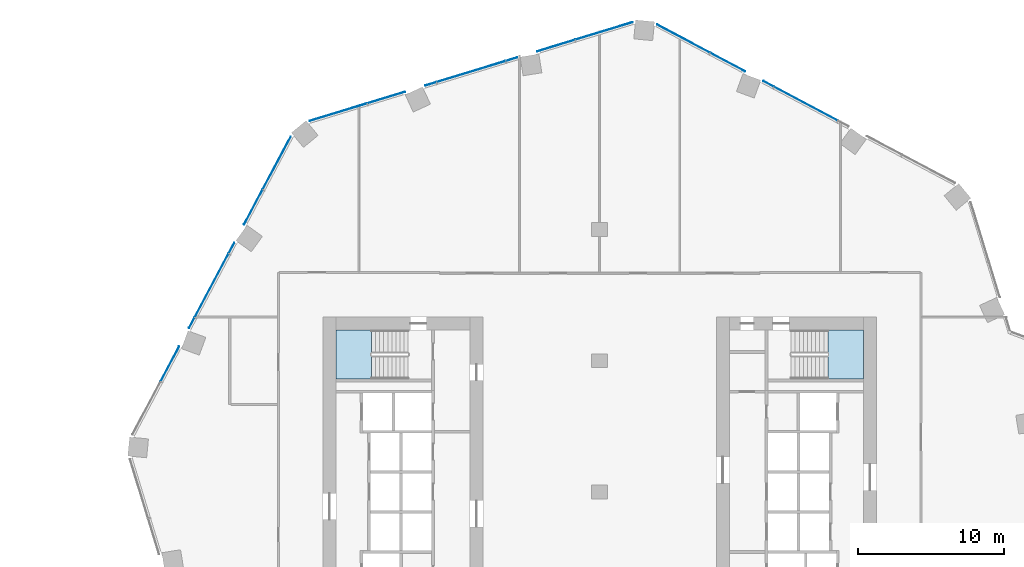
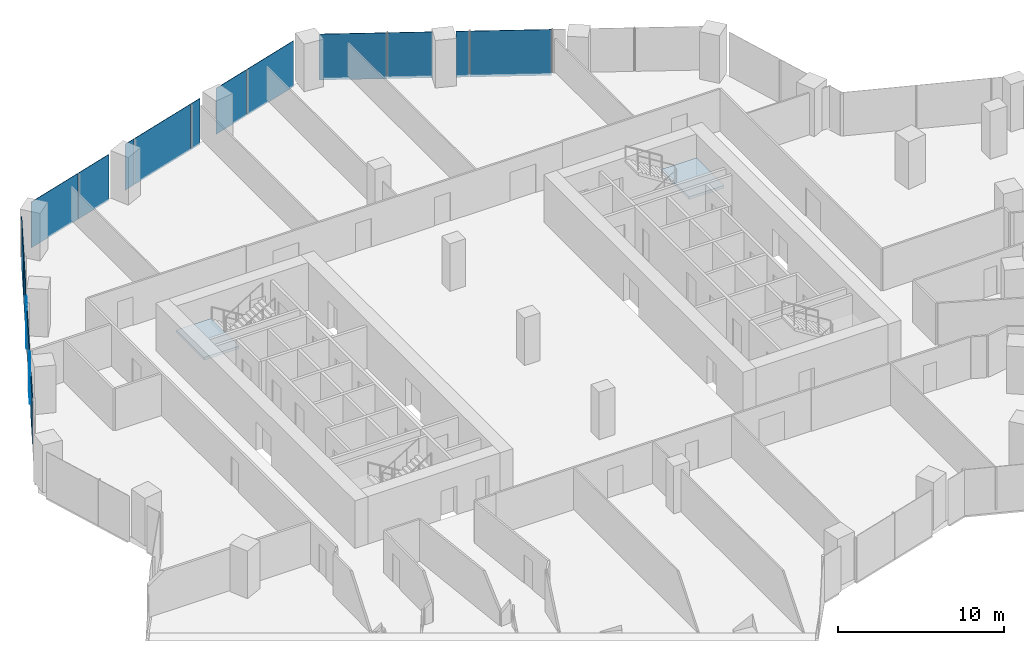
# One storey, part 21 of 31: 17 plates, 2 slabs, 5 elements without a shape of their own.
"""IFC4 building model written with IfcOpenShell, lengths in metres."""

from ifc_helpers import new_model, si_unit, direction, frame, origin, origin_2d, place, context, subcontext, project, spatial, polyline, rectangle, outline, extrude, material, layer, layer_set, type_object, element, aggregate, save


model = new_model("IFC4")

# Units and contexts
model_context = context("Model", 3, precision=1e-05, world=origin(), true_north=direction((0.0, 1.0)))
body_context = subcontext(model_context, "Body", "Model", "MODEL_VIEW")
ifc_project = project(units=[si_unit("LENGTHUNIT", "METRE"), si_unit("AREAUNIT", "SQUARE_METRE"), si_unit("VOLUMEUNIT", "CUBIC_METRE"), si_unit("PLANEANGLEUNIT", "RADIAN"), si_unit("MASSUNIT", "GRAM", prefix="KILO")], contexts=[model_context])

# Site, building, storey
site_placement = place(None, origin())
site = spatial("IfcSite", under=ifc_project, at=site_placement, CompositionType="ELEMENT")
building_placement = place(site_placement, origin())
building = spatial("IfcBuilding", under=site, at=building_placement, Name="Orlundy Tower", CompositionType="ELEMENT")
storey_placement = place(building_placement, frame((0.0, 0.0, 91.199951171875)))
storey = spatial("IfcBuildingStorey", under=building, at=storey_placement, Name="L22", CompositionType="ELEMENT", Elevation=91.199951171875)

# Curtain wall, plates
ifc_material_1 = material(Name="Aluminium bronze anodised", Category="aluminium")
curtain_wall_type = type_object("IfcCurtainWallType", Name="CW1 wall", PredefinedType="NOTDEFINED", material=ifc_material_1)
curtain_wall_1_placement = place(storey_placement, origin())
curtain_wall_1 = element("IfcCurtainWall", 1, at=curtain_wall_1_placement, inside=storey, type_object=curtain_wall_type, Name="CW1 run 02", PredefinedType="NOTDEFINED")
ifc_material_2 = material(Name="Tinted glass", Category="glass")
ifc_layer_1 = layer(ifc_material_2, 0.031982421875)
ifc_layer_set_1 = layer_set([ifc_layer_1], Name="CW1 glass panel 32")
plate_type = type_object("IfcPlateType", Name="CW1 glass panel 32", PredefinedType="CURTAIN_PANEL", material=ifc_layer_set_1)
plate_1_placement = place(storey_placement, frame((-29.489501953125, 8.788818359375, -0.27978515625), z_axis=(0.0, 0.0, 1.0), x_axis=(0.469445471129, 0.882961465544, 0.0)))
plate_1 = element("IfcPlate", 2, at=plate_1_placement, type_object=plate_type, Name="CW1 panel", PredefinedType="CURTAIN_PANEL", context=body_context, shape_type="SweptSolid", body=[
    extrude(rectangle(XDim=2.69287109375, YDim=0.031982421875, at=origin_2d()), origin(), (0.0, 0.0, 1.0), 3.3798828125),
])
plate_2_placement = place(storey_placement, frame((-27.998779296875, 11.593017578125, -0.27978515625), z_axis=(0.0, 0.0, 1.0), x_axis=(0.469445471129, 0.882961465544, 0.0)))
plate_2 = element("IfcPlate", 3, at=plate_2_placement, type_object=plate_type, Name="CW1 panel", PredefinedType="CURTAIN_PANEL", context=body_context, shape_type="SweptSolid", body=[
    extrude(rectangle(XDim=0.79638671875, YDim=0.031982421875, at=origin_2d()), origin(), (0.0, 0.0, 1.0), 3.3798828125),
])
plate_3_placement = place(storey_placement, frame((-26.63330078125, 14.160888671875, -0.27978515625), z_axis=(0.0, 0.0, 1.0), x_axis=(0.469445471129, 0.882961465544, 0.0)))
plate_3 = element("IfcPlate", 4, at=plate_3_placement, type_object=plate_type, Name="CW1 panel", PredefinedType="CURTAIN_PANEL", context=body_context, shape_type="SweptSolid", body=[
    extrude(rectangle(XDim=4.920654296875, YDim=0.031982421875, at=origin_2d()), origin(), (0.0, 0.0, 1.0), 3.3798828125),
])
plate_4_placement = place(storey_placement, frame((-25.267822265625, 16.729248046875, -0.27978515625), z_axis=(0.0, 0.0, 1.0), x_axis=(0.469445471129, 0.882961465544, 0.0)))
plate_4 = element("IfcPlate", 5, at=plate_4_placement, type_object=plate_type, Name="CW1 panel", PredefinedType="CURTAIN_PANEL", context=body_context, shape_type="SweptSolid", body=[
    extrude(rectangle(XDim=0.796875, YDim=0.031982421875, at=origin_2d()), origin(), (0.0, 0.0, 1.0), 3.3798828125),
])
plate_5_placement = place(storey_placement, frame((-23.776123046875, 19.534912109375, -0.27978515625), z_axis=(0.0, 0.0, 1.0), x_axis=(0.469445471129, 0.882961465544, 0.0)))
plate_5 = element("IfcPlate", 6, at=plate_5_placement, type_object=plate_type, Name="CW1 panel", PredefinedType="CURTAIN_PANEL", context=body_context, shape_type="SweptSolid", body=[
    extrude(rectangle(XDim=2.68896484375, YDim=0.031982421875, at=origin_2d()), origin(), (0.0, 0.0, 1.0), 3.3798828125),
])
plate_6_placement = place(storey_placement, frame((-22.160400390625, 22.57373046875, -0.27978515625), z_axis=(0.0, 0.0, 1.0), x_axis=(0.469445471129, 0.882961465544, 0.0)))
plate_6 = element("IfcPlate", 7, at=plate_6_placement, type_object=plate_type, Name="CW1 panel", PredefinedType="CURTAIN_PANEL", context=body_context, shape_type="SweptSolid", body=[
    extrude(rectangle(XDim=4.09423828125, YDim=0.031982421875, at=origin_2d()), origin(), (0.0, 0.0, 1.0), 3.3798828125),
])
aggregate(curtain_wall_1, [plate_1, plate_2, plate_3, plate_4, plate_5, plate_6])

curtain_wall_2_placement = place(storey_placement, origin())
curtain_wall_2 = element("IfcCurtainWall", 8, at=curtain_wall_2_placement, inside=storey, type_object=curtain_wall_type, Name="CW1 run 03", PredefinedType="NOTDEFINED")
plate_7_placement = place(storey_placement, frame((-17.930419921875, 26.060546875, -0.27978515625), z_axis=(0.0, 0.0, 1.0), x_axis=(0.956308143364, 0.292360624804, 0.0)))
plate_7 = element("IfcPlate", 9, at=plate_7_placement, type_object=plate_type, Name="CW1 panel", PredefinedType="CURTAIN_PANEL", context=body_context, shape_type="SweptSolid", body=[
    extrude(rectangle(XDim=4.092529296875, YDim=0.031982421875, at=origin_2d()), origin(), (0.0, 0.0, 1.0), 3.3798828125),
])
plate_8_placement = place(storey_placement, frame((-14.64111328125, 27.066162109375, -0.27978515625), z_axis=(0.0, 0.0, 1.0), x_axis=(0.956308143364, 0.292360624804, 0.0)))
plate_8 = element("IfcPlate", 10, at=plate_8_placement, type_object=plate_type, Name="CW1 panel", PredefinedType="CURTAIN_PANEL", context=body_context, shape_type="SweptSolid", body=[
    extrude(rectangle(XDim=2.686767578125, YDim=0.031982421875, at=origin_2d()), origin(), (0.0, 0.0, 1.0), 3.3798828125),
])
plate_9_placement = place(storey_placement, frame((-11.600830078125, 27.99560546875, -0.27978515625), z_axis=(0.0, 0.0, 1.0), x_axis=(0.956308143364, 0.292360624804, 0.0)))
plate_9 = element("IfcPlate", 11, at=plate_9_placement, type_object=plate_type, Name="CW1 panel", PredefinedType="CURTAIN_PANEL", context=body_context, shape_type="SweptSolid", body=[
    extrude(rectangle(XDim=0.796142578125, YDim=0.031982421875, at=origin_2d()), origin(), (0.0, 0.0, 1.0), 3.3798828125),
])
plate_10_placement = place(storey_placement, frame((-8.8193359375, 28.845947265625, -0.27978515625), z_axis=(0.0, 0.0, 1.0), x_axis=(0.956308143364, 0.292360624804, 0.0)))
plate_10 = element("IfcPlate", 12, at=plate_10_placement, type_object=plate_type, Name="CW1 panel", PredefinedType="CURTAIN_PANEL", context=body_context, shape_type="SweptSolid", body=[
    extrude(rectangle(XDim=4.920654296875, YDim=0.031982421875, at=origin_2d()), origin(), (0.0, 0.0, 1.0), 3.3798828125),
])
plate_11_placement = place(storey_placement, frame((-6.037841796875, 29.6962890625, -0.27978515625), z_axis=(0.0, 0.0, 1.0), x_axis=(0.956308143364, 0.292360624804, 0.0)))
plate_11 = element("IfcPlate", 13, at=plate_11_placement, type_object=plate_type, Name="CW1 panel", PredefinedType="CURTAIN_PANEL", context=body_context, shape_type="SweptSolid", body=[
    extrude(rectangle(XDim=0.796630859375, YDim=0.031982421875, at=origin_2d()), origin(), (0.0, 0.0, 1.0), 3.3798828125),
])
plate_12_placement = place(storey_placement, frame((-2.999755859375, 30.625, -0.27978515625), z_axis=(0.0, 0.0, 1.0), x_axis=(0.956308143364, 0.292360624804, 0.0)))
plate_12 = element("IfcPlate", 14, at=plate_12_placement, type_object=plate_type, Name="CW1 panel", PredefinedType="CURTAIN_PANEL", context=body_context, shape_type="SweptSolid", body=[
    extrude(rectangle(XDim=2.6904296875, YDim=0.031982421875, at=origin_2d()), origin(), (0.0, 0.0, 1.0), 3.3798828125),
])
plate_13_placement = place(storey_placement, frame((0.2919921875, 31.63134765625, -0.27978515625), z_axis=(0.0, 0.0, 1.0), x_axis=(0.956308143364, 0.292360624804, 0.0)))
plate_13 = element("IfcPlate", 15, at=plate_13_placement, type_object=plate_type, Name="CW1 panel", PredefinedType="CURTAIN_PANEL", context=body_context, shape_type="SweptSolid", body=[
    extrude(rectangle(XDim=4.09375, YDim=0.031982421875, at=origin_2d()), origin(), (0.0, 0.0, 1.0), 3.3798828125),
])
aggregate(curtain_wall_2, [plate_7, plate_8, plate_9, plate_10, plate_11, plate_12, plate_13])

curtain_wall_3_placement = place(storey_placement, origin())
curtain_wall_3 = element("IfcCurtainWall", 16, at=curtain_wall_3_placement, inside=storey, type_object=curtain_wall_type, Name="CW1 run 04", PredefinedType="NOTDEFINED")
plate_14_placement = place(storey_placement, frame((5.74853515625, 31.10595703125, -0.27978515625), z_axis=(0.0, 0.0, 1.0), x_axis=(0.882961465544, -0.469445471129, 0.0)))
plate_14 = element("IfcPlate", 17, at=plate_14_placement, type_object=plate_type, Name="CW1 panel", PredefinedType="CURTAIN_PANEL", context=body_context, shape_type="SweptSolid", body=[
    extrude(rectangle(XDim=4.09326171875, YDim=0.031982421875, at=origin_2d()), origin(), (0.0, 0.0, 1.0), 3.3798828125),
])
plate_15_placement = place(storey_placement, frame((8.788818359375, 29.489501953125, -0.27978515625), z_axis=(0.0, 0.0, 1.0), x_axis=(0.882961465544, -0.469445471129, 0.0)))
plate_15 = element("IfcPlate", 18, at=plate_15_placement, type_object=plate_type, Name="CW1 panel", PredefinedType="CURTAIN_PANEL", context=body_context, shape_type="SweptSolid", body=[
    extrude(rectangle(XDim=2.69287109375, YDim=0.031982421875, at=origin_2d()), origin(), (0.0, 0.0, 1.0), 3.3798828125),
])
plate_16_placement = place(storey_placement, frame((11.593017578125, 27.998779296875, -0.27978515625), z_axis=(0.0, 0.0, 1.0), x_axis=(0.882961465544, -0.469445471129, 0.0)))
plate_16 = element("IfcPlate", 19, at=plate_16_placement, type_object=plate_type, Name="CW1 panel", PredefinedType="CURTAIN_PANEL", context=body_context, shape_type="SweptSolid", body=[
    extrude(rectangle(XDim=0.79638671875, YDim=0.031982421875, at=origin_2d()), origin(), (0.0, 0.0, 1.0), 3.3798828125),
])
plate_17_placement = place(storey_placement, frame((14.160888671875, 26.63330078125, -0.27978515625), z_axis=(0.0, 0.0, 1.0), x_axis=(0.882961465544, -0.469445471129, 0.0)))
plate_17 = element("IfcPlate", 20, at=plate_17_placement, type_object=plate_type, Name="CW1 panel", PredefinedType="CURTAIN_PANEL", context=body_context, shape_type="SweptSolid", body=[
    extrude(rectangle(XDim=4.920654296875, YDim=0.031982421875, at=origin_2d()), origin(), (0.0, 0.0, 1.0), 3.3798828125),
])
aggregate(curtain_wall_3, [plate_14, plate_15, plate_16, plate_17])

# Stair, slab
ifc_material_3 = material(Name="Concrete C50/60", Category="concrete")
stair_type = type_object("IfcStairType", Name="Exit Stair 20 risers", PredefinedType="HALF_TURN_STAIR", material=ifc_material_3)
stair_1_placement = place(storey_placement, origin())
stair_1 = element("IfcStair", 21, at=stair_1_placement, inside=storey, type_object=stair_type, Name="L22 Exit Stair ST-W1", PredefinedType="HALF_TURN_STAIR")
ifc_material_4 = material(Name="Concrete C50/60", Category="concrete")
ifc_layer_2 = layer(ifc_material_4, 0.199951171875)
ifc_layer_set_2 = layer_set([ifc_layer_2], Name="Exit Stair Landing")
slab_type = type_object("IfcSlabType", Name="Exit Stair Landing", PredefinedType="LANDING", material=ifc_layer_set_2)
slab_1_placement = place(storey_placement, frame((0.0, 0.0, 1.550048828125)))
slab_1 = element("IfcSlab", 22, at=slab_1_placement, type_object=slab_type, Name="ST-W1 landing 1", PredefinedType="LANDING", context=body_context, shape_type="SweptSolid", body=[
    extrude(outline(polyline([(-15.659912109375, 11.10009765625), (-18.10009765625, 11.10009765625), (-18.10009765625, 7.75), (-15.659912109375, 7.75), (-15.659912109375, 11.10009765625)])), origin(), (0.0, 0.0, 1.0), 0.199951171875),
])
aggregate(stair_1, [slab_1])

stair_2_placement = place(storey_placement, origin())
stair_2 = element("IfcStair", 23, at=stair_2_placement, inside=storey, type_object=stair_type, Name="L22 Exit Stair ST-E2", PredefinedType="HALF_TURN_STAIR")
slab_2_placement = place(storey_placement, frame((0.0, 0.0, 1.550048828125)))
slab_2 = element("IfcSlab", 24, at=slab_2_placement, type_object=slab_type, Name="ST-E2 landing 1", PredefinedType="LANDING", context=body_context, shape_type="SweptSolid", body=[
    extrude(outline(polyline([(15.659912109375, 7.75), (18.10009765625, 7.75), (18.10009765625, 11.10009765625), (15.659912109375, 11.10009765625), (15.659912109375, 7.75)])), origin(), (0.0, 0.0, 1.0), 0.199951171875),
])
aggregate(stair_2, [slab_2])

save(model, "model.ifc")
